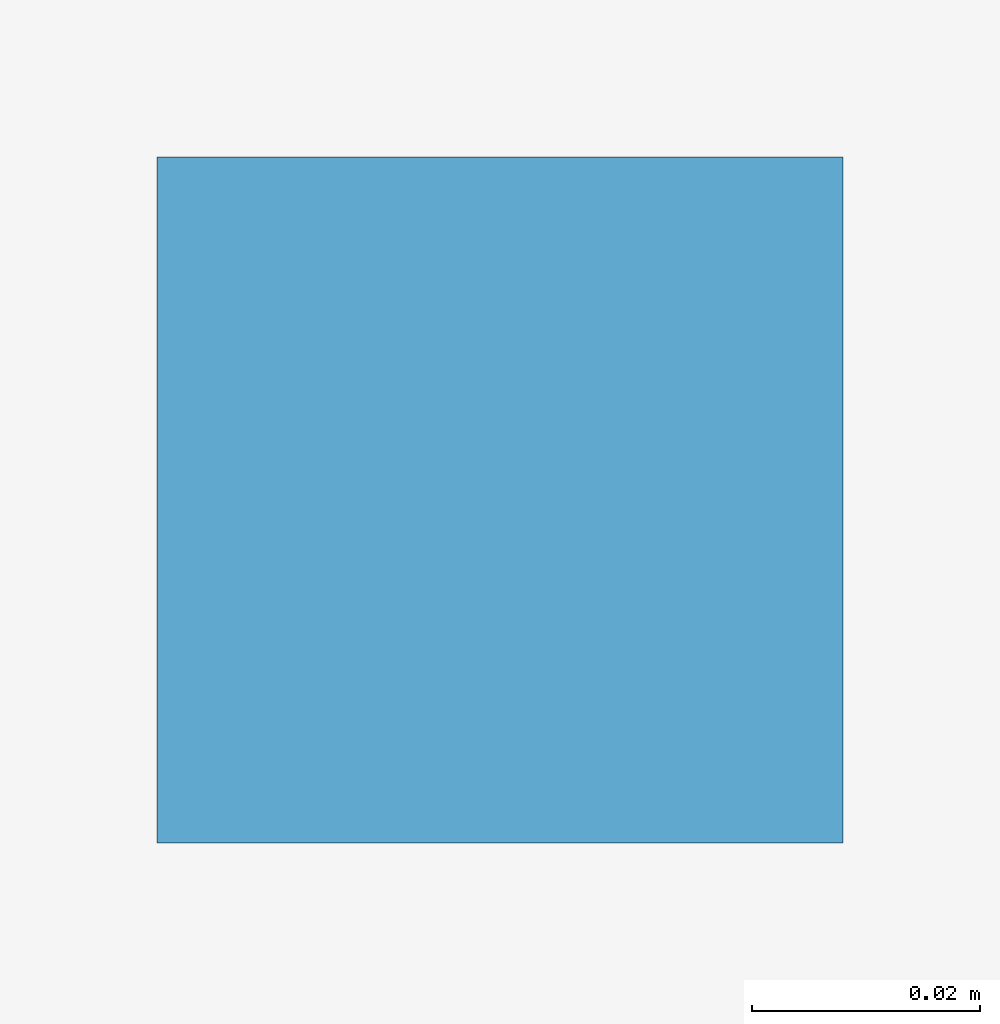
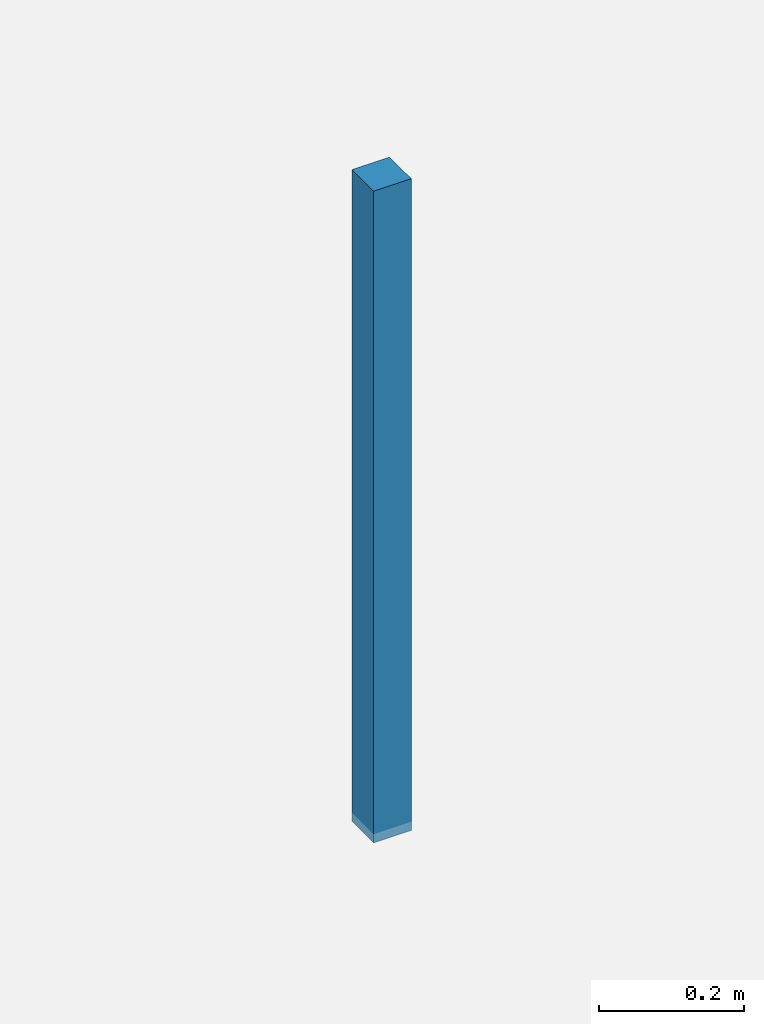
# One storey, part 49 of 59: 1 discrete accessory.
"""IFC4 building model written with IfcOpenShell, lengths in metres."""

from ifc_helpers import new_model, si_unit, direction, frame, origin, origin_2d, place, context, subcontext, project, spatial, rectangle, extrude, material, type_object, element, save


model = new_model("IFC4")

# Units and contexts
model_context = context("Model", 3, precision=1e-05, world=origin(), true_north=direction((0.0, 1.0)))
body_context = subcontext(model_context, "Body", "Model", "MODEL_VIEW")
ifc_project = project(units=[si_unit("LENGTHUNIT", "METRE"), si_unit("AREAUNIT", "SQUARE_METRE"), si_unit("VOLUMEUNIT", "CUBIC_METRE"), si_unit("PLANEANGLEUNIT", "RADIAN"), si_unit("MASSUNIT", "GRAM", prefix="KILO")], contexts=[model_context])

# Site, building, storey
site_placement = place(None, origin())
site = spatial("IfcSite", under=ifc_project, at=site_placement, CompositionType="ELEMENT")
building_placement = place(site_placement, origin())
building = spatial("IfcBuilding", under=site, at=building_placement, Name="Kangsadwip Square Police Headquarters", CompositionType="ELEMENT")
storey_placement = place(building_placement, frame((0.0, 0.0, 21.60009765625)))
storey = spatial("IfcBuildingStorey", under=building, at=storey_placement, Name="L05", CompositionType="ELEMENT", Elevation=21.60009765625)

# Discrete accessory
ifc_material = material(Name="Structural steel IS 2062 E350 (Grade 350, 350 MPa)", Category="steel")
discrete_accessory_type = type_object("IfcDiscreteAccessoryType", Name="VeilOutriggerBracket", PredefinedType="BRACKET", material=ifc_material)
discrete_accessory_placement = place(storey_placement, frame((3.64990234375, 82.800048828125, 2.809814453125), z_axis=(0.0, 0.0, 1.0), x_axis=(1.0, 0.0, 0.0)))
element("IfcDiscreteAccessory", 1, at=discrete_accessory_placement, inside=storey, type_object=discrete_accessory_type, Name="Ceiling Suspension Hanger L05-142", PredefinedType="BRACKET", context=body_context, shape_type="SweptSolid", body=[
    extrude(rectangle(XDim=0.06005859375, YDim=0.06005859375, at=origin_2d()), origin(), (0.0, 0.0, 1.0), 1.10009765625),
])

save(model, "model.ifc")
